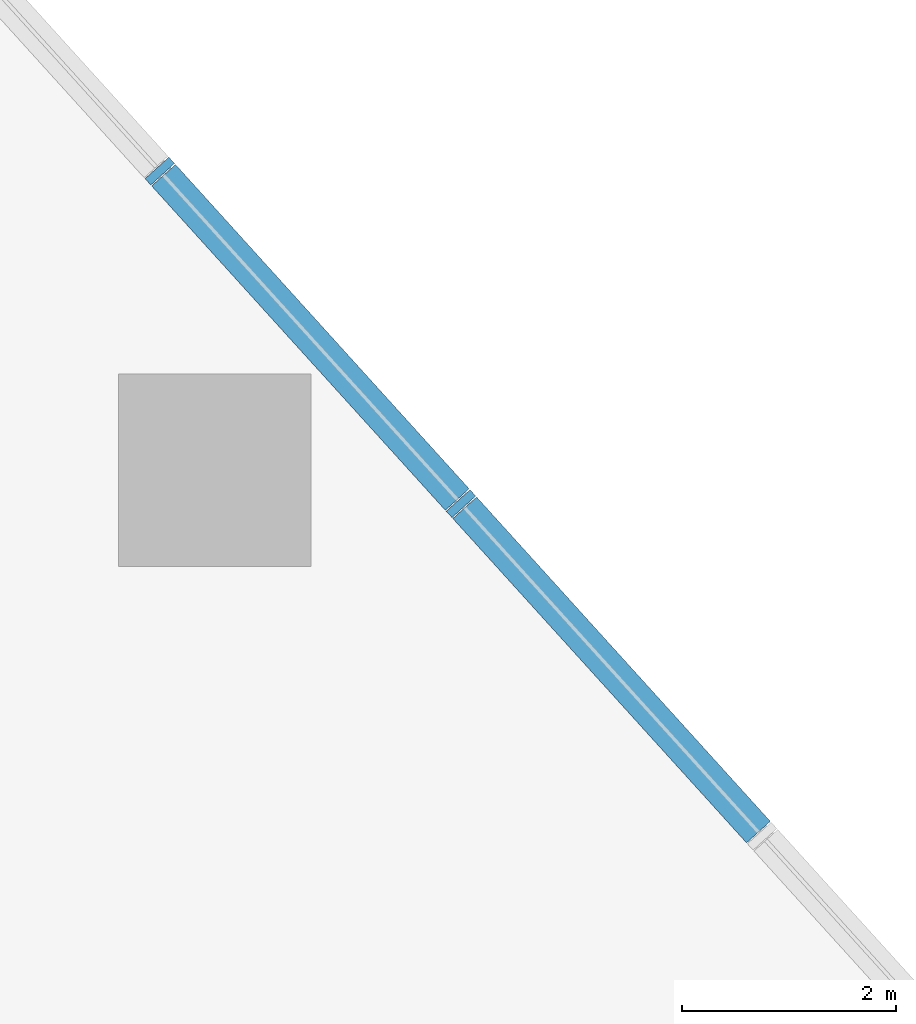
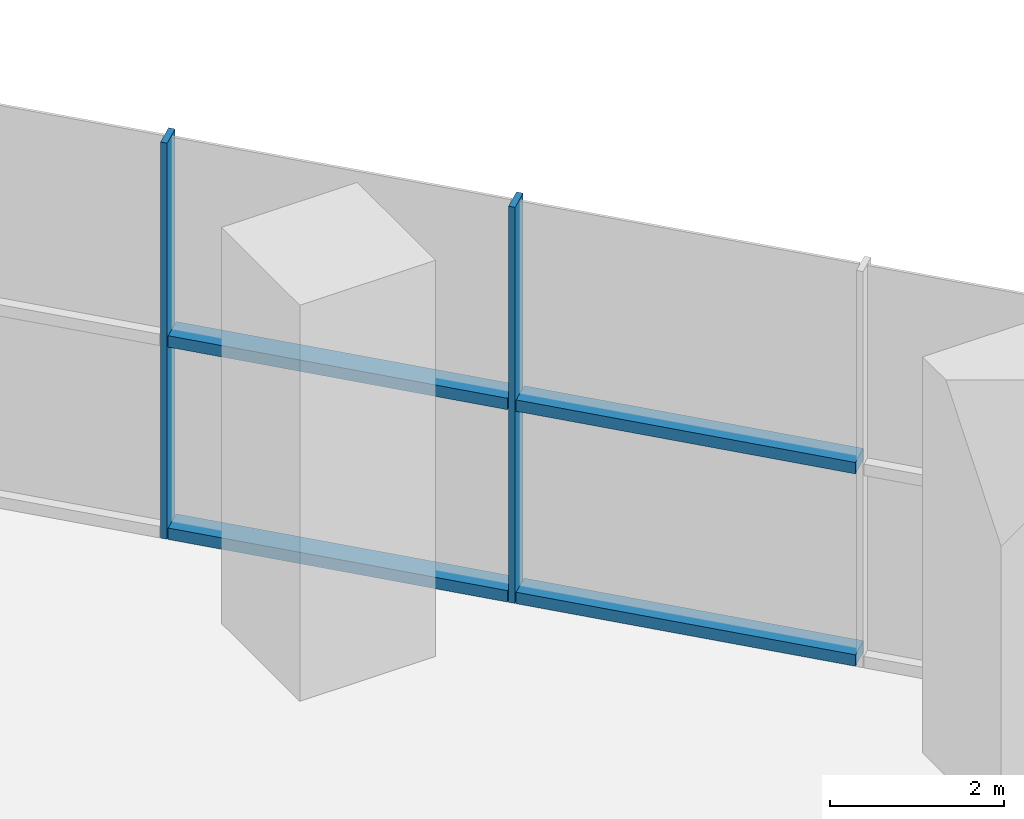
# One storey, part 7 of 15: 6 members, 1 element without a shape of its own.
"""IFC4 building model written with IfcOpenShell, lengths in metres."""

from ifc_helpers import new_model, si_unit, direction, frame, origin, origin_2d, place, context, subcontext, project, spatial, rectangle, extrude, material, layer, layer_set, material_profile, profile_set, type_object, element, aggregate, save


model = new_model("IFC4")

# Units and contexts
model_context = context("Model", 3, precision=1e-05, world=origin(), true_north=direction((0.0, 1.0)))
body_context = subcontext(model_context, "Body", "Model", "MODEL_VIEW")
ifc_project = project(units=[si_unit("LENGTHUNIT", "METRE"), si_unit("AREAUNIT", "SQUARE_METRE"), si_unit("VOLUMEUNIT", "CUBIC_METRE"), si_unit("PLANEANGLEUNIT", "RADIAN"), si_unit("MASSUNIT", "GRAM", prefix="KILO")], contexts=[model_context])

# Site, building, storey
site_placement = place(None, origin())
site = spatial("IfcSite", under=ifc_project, at=site_placement, CompositionType="ELEMENT")
building_placement = place(site_placement, origin())
building = spatial("IfcBuilding", under=site, at=building_placement, Name="Dongbaek Canopy Tower", CompositionType="ELEMENT")
storey_placement = place(building_placement, frame((0.0, 0.0, 27.0)))
storey = spatial("IfcBuildingStorey", under=building, at=storey_placement, Name="L03", CompositionType="ELEMENT", Elevation=27.0)

# Curtain wall, members
ifc_material_1 = material(Name="Aluminium 6063-T6 pale anodised", Category="aluminium")
ifc_layer = layer(ifc_material_1, 0.300048828125)
ifc_layer_set = layer_set([ifc_layer], Name="CW-2 podium hall curtain wall")
curtain_wall_type = type_object("IfcCurtainWallType", Name="CW-2 podium hall curtain wall", PredefinedType="NOTDEFINED", material=ifc_layer_set)
curtain_wall_placement = place(storey_placement, origin())
curtain_wall = element("IfcCurtainWall", 1, at=curtain_wall_placement, inside=storey, type_object=curtain_wall_type, Name="CW-2 curtain wall F1.1", PredefinedType="NOTDEFINED")
ifc_material_2 = material(Name="Aluminium 6063-T6 pale anodised", Category="aluminium")
ifc_material_profile_1 = material_profile(ifc_material_2, rectangle(XDim=0.300048828125, YDim=0.080078125, at=origin_2d()), Name="CW-2 mullion 80 x 300")
ifc_profile_set_1 = profile_set([ifc_material_profile_1], Name="Aluminium 6063-T6 pale anodised")
member_type_1 = type_object("IfcMemberType", Name="CW-2 mullion 80 x 300", PredefinedType="MULLION", material=ifc_profile_set_1)
member_1_placement = place(storey_placement, frame((28.78564453125, 20.718994140625, 0.0), z_axis=(0.0, 0.0, 1.0), x_axis=(0.741222236547, 0.671259708345, 0.0)))
member_1 = element("IfcMember", 2, at=member_1_placement, type_object=member_type_1, Name="CW-2 mullion F1.1.4", PredefinedType="MULLION", context=body_context, shape_type="SweptSolid", body=[
    extrude(rectangle(XDim=0.300048828125, YDim=0.080078125, at=origin_2d()), origin(), (0.0, 0.0, 1.0), 5.550048828125),
])
member_2_placement = place(storey_placement, frame((25.969482421875, 23.82861328125, 0.0), z_axis=(0.0, 0.0, 1.0), x_axis=(0.741222236547, 0.671259708345, 0.0)))
member_2 = element("IfcMember", 3, at=member_2_placement, type_object=member_type_1, Name="CW-2 mullion F1.1.5", PredefinedType="MULLION", context=body_context, shape_type="SweptSolid", body=[
    extrude(rectangle(XDim=0.300048828125, YDim=0.080078125, at=origin_2d()), origin(), (0.0, 0.0, 1.0), 5.550048828125),
])
ifc_material_3 = material(Name="Aluminium 6063-T6 pale anodised", Category="aluminium")
ifc_material_profile_2 = material_profile(ifc_material_3, rectangle(XDim=0.300048828125, YDim=0.159912109375, at=origin_2d()), Name="CW-2 transom 160 x 300")
ifc_profile_set_2 = profile_set([ifc_material_profile_2], Name="Aluminium 6063-T6 pale anodised")
member_type_2 = type_object("IfcMemberType", Name="CW-2 transom 160 x 300", PredefinedType="USERDEFINED", material=ifc_profile_set_2)
member_3_placement = place(storey_placement, frame((31.566650390625, 17.64794921875, 0.080078125), z_axis=(-0.671239841945, 0.741240227312, 0.0), x_axis=(-0.741240227312, -0.671239841945, 0.0)))
member_3 = element("IfcMember", 4, at=member_3_placement, type_object=member_type_2, Name="CW-2 transom F1.1.3.1", ObjectType="TRANSOM", PredefinedType="USERDEFINED", context=body_context, shape_type="SweptSolid", body=[
    extrude(rectangle(XDim=0.300048828125, YDim=0.159912109375, at=origin_2d()), origin(), (0.0, 0.0, 1.0), 4.091064453125),
])
member_4_placement = place(storey_placement, frame((31.566650390625, 17.64794921875, 2.77490234375), z_axis=(-0.671239841945, 0.741240227312, 0.0), x_axis=(-0.741240227312, -0.671239841945, 0.0)))
member_4 = element("IfcMember", 5, at=member_4_placement, type_object=member_type_2, Name="CW-2 transom F1.1.3.2", ObjectType="TRANSOM", PredefinedType="USERDEFINED", context=body_context, shape_type="SweptSolid", body=[
    extrude(rectangle(XDim=0.300048828125, YDim=0.159912109375, at=origin_2d()), origin(), (0.0, 0.0, 1.0), 4.091064453125),
])
member_5_placement = place(storey_placement, frame((28.750732421875, 20.757568359375, 0.080078125), z_axis=(-0.671272628387, 0.741210535798, 0.0), x_axis=(-0.741210535798, -0.671272628387, 0.0)))
member_5 = element("IfcMember", 6, at=member_5_placement, type_object=member_type_2, Name="CW-2 transom F1.1.4.1", ObjectType="TRANSOM", PredefinedType="USERDEFINED", context=body_context, shape_type="SweptSolid", body=[
    extrude(rectangle(XDim=0.300048828125, YDim=0.159912109375, at=origin_2d()), origin(), (0.0, 0.0, 1.0), 4.09130859375),
])
member_6_placement = place(storey_placement, frame((28.750732421875, 20.757568359375, 2.77490234375), z_axis=(-0.671272628387, 0.741210535798, 0.0), x_axis=(-0.741210535798, -0.671272628387, 0.0)))
member_6 = element("IfcMember", 7, at=member_6_placement, type_object=member_type_2, Name="CW-2 transom F1.1.4.2", ObjectType="TRANSOM", PredefinedType="USERDEFINED", context=body_context, shape_type="SweptSolid", body=[
    extrude(rectangle(XDim=0.300048828125, YDim=0.159912109375, at=origin_2d()), origin(), (0.0, 0.0, 1.0), 4.09130859375),
])
aggregate(curtain_wall, [member_1, member_2, member_3, member_4, member_5, member_6])

save(model, "model.ifc")
